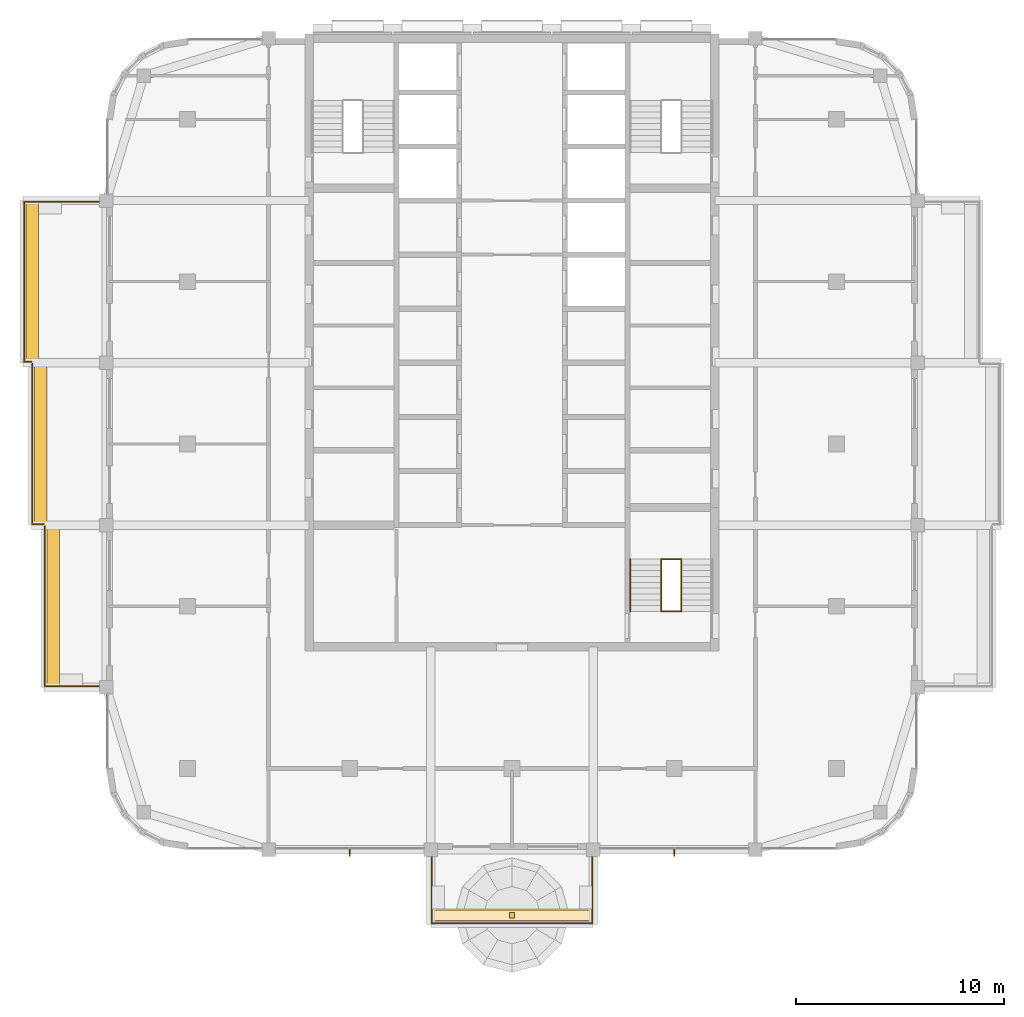
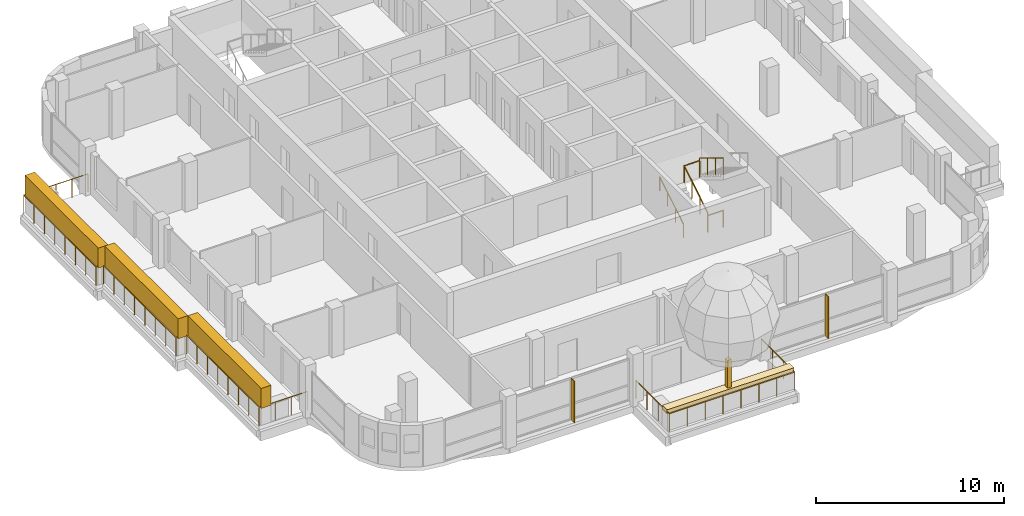
# One storey, part 17 of 19: 9 railings, 5 coverings, 2 shading devices, 1 element without a shape of its own.
"""IFC4 building model written with IfcOpenShell, lengths in metres."""

from ifc_helpers import new_model, si_unit, direction, frame, origin, origin_2d, place, context, subcontext, project, spatial, rectangle, circle, extrude, material, layer, layer_set, type_object, element, aggregate, save


model = new_model("IFC4")

# Units and contexts
model_context = context("Model", 3, precision=1e-05, world=origin(), true_north=direction((0.0, 1.0)))
body_context = subcontext(model_context, "Body", "Model", "MODEL_VIEW")
ifc_project = project(units=[si_unit("LENGTHUNIT", "METRE"), si_unit("AREAUNIT", "SQUARE_METRE"), si_unit("VOLUMEUNIT", "CUBIC_METRE"), si_unit("PLANEANGLEUNIT", "RADIAN"), si_unit("MASSUNIT", "GRAM", prefix="KILO")], contexts=[model_context])

# Site, building, storey
site_placement = place(None, origin())
site = spatial("IfcSite", under=ifc_project, at=site_placement, CompositionType="ELEMENT")
building_placement = place(site_placement, origin())
building = spatial("IfcBuilding", under=site, at=building_placement, Name="Ludao Terraces", CompositionType="ELEMENT")
storey_placement = place(building_placement, frame((0.0, 0.0, 256.199951171875)))
storey = spatial("IfcBuildingStorey", under=building, at=storey_placement, Name="L70", CompositionType="ELEMENT", Elevation=256.199951171875)

# Railings
ifc_material_1 = material(Name="Stainless steel 304", Category="steel")
railing_type_1 = type_object("IfcRailingType", Name="ENV Balcony glass guard 1200", PredefinedType="GUARDRAIL", material=ifc_material_1)
railing_1_placement = place(storey_placement, frame((81.14990234375, 45.5, 0.0)))
element("IfcRailing", 1, at=railing_1_placement, inside=storey, type_object=railing_type_1, Name="Balcony guard L70 S1", PredefinedType="GUARDRAIL", context=body_context, shape_type="SweptSolid", body=[
    extrude(circle(Radius=0.02392578125, at=origin_2d()), frame((0.0, 0.0, 1.17578125), z_axis=(0.0, -1.0, 0.0), x_axis=(1.0, 0.0, 0.0)), (0.0, 0.0, 1.0), 3.550048828125),
    extrude(circle(Radius=0.02392578125, at=origin_2d()), frame((0.0, -3.550048828125, 1.17578125), z_axis=(1.0, 0.0, 0.0), x_axis=(0.0, 1.0, 0.0)), (0.0, 0.0, 1.0), 7.7001953125),
    extrude(circle(Radius=0.02392578125, at=origin_2d()), frame((7.7001953125, -3.550048828125, 1.17578125), z_axis=(0.0, 1.0, 0.0), x_axis=(-1.0, 0.0, 0.0)), (0.0, 0.0, 1.0), 3.550048828125),
    extrude(circle(Radius=0.02099609375, at=origin_2d()), origin(), (0.0, 0.0, 1.0), 1.15185546875),
    extrude(circle(Radius=0.02099609375, at=origin_2d()), frame((0.0, -1.183349609375, 0.0)), (0.0, 0.0, 1.0), 1.15185546875),
    extrude(circle(Radius=0.02099609375, at=origin_2d()), frame((0.0, -2.36669921875, 0.0)), (0.0, 0.0, 1.0), 1.15185546875),
    extrude(circle(Radius=0.02099609375, at=origin_2d()), frame((0.0, -3.550048828125, 0.0)), (0.0, 0.0, 1.0), 1.15185546875),
    extrude(circle(Radius=0.02099609375, at=origin_2d()), frame((1.10009765625, -3.550048828125, 0.0)), (0.0, 0.0, 1.0), 1.15185546875),
    extrude(circle(Radius=0.02099609375, at=origin_2d()), frame((2.199951171875, -3.550048828125, 0.0)), (0.0, 0.0, 1.0), 1.15185546875),
    extrude(circle(Radius=0.02099609375, at=origin_2d()), frame((3.300048828125, -3.550048828125, 0.0)), (0.0, 0.0, 1.0), 1.15185546875),
    extrude(circle(Radius=0.02099609375, at=origin_2d()), frame((4.400146484375, -3.550048828125, 0.0)), (0.0, 0.0, 1.0), 1.15185546875),
    extrude(circle(Radius=0.02099609375, at=origin_2d()), frame((5.500244140625, -3.550048828125, 0.0)), (0.0, 0.0, 1.0), 1.15185546875),
    extrude(circle(Radius=0.02099609375, at=origin_2d()), frame((6.60009765625, -3.550048828125, 0.0)), (0.0, 0.0, 1.0), 1.15185546875),
    extrude(circle(Radius=0.02099609375, at=origin_2d()), frame((7.7001953125, -3.550048828125, 0.0)), (0.0, 0.0, 1.0), 1.15185546875),
    extrude(circle(Radius=0.02099609375, at=origin_2d()), frame((7.7001953125, -2.36669921875, 0.0)), (0.0, 0.0, 1.0), 1.15185546875),
    extrude(circle(Radius=0.02099609375, at=origin_2d()), frame((7.7001953125, -1.183349609375, 0.0)), (0.0, 0.0, 1.0), 1.15185546875),
    extrude(circle(Radius=0.02099609375, at=origin_2d()), frame((7.7001953125, 0.0, 0.0)), (0.0, 0.0, 1.0), 1.15185546875),
])
railing_2_placement = place(storey_placement, frame((65.5, 53.35009765625, 0.0)))
element("IfcRailing", 2, at=railing_2_placement, inside=storey, type_object=railing_type_1, Name="Balcony guard L70 W1", PredefinedType="GUARDRAIL", context=body_context, shape_type="SweptSolid", body=[
    extrude(circle(Radius=0.02392578125, at=origin_2d()), frame((0.0, 0.0, 1.17578125), z_axis=(-1.0, 0.0, 0.0), x_axis=(0.0, -1.0, 0.0)), (0.0, 0.0, 1.0), 2.949951171875),
    extrude(circle(Radius=0.02392578125, at=origin_2d()), frame((-2.949951171875, 0.0, 1.17578125), z_axis=(0.0, 1.0, 0.0), x_axis=(-1.0, 0.0, 0.0)), (0.0, 0.0, 1.0), 7.699951171875),
    extrude(circle(Radius=0.02099609375, at=origin_2d()), origin(), (0.0, 0.0, 1.0), 1.15185546875),
    extrude(circle(Radius=0.02099609375, at=origin_2d()), frame((-0.9833984375, 0.0, 0.0)), (0.0, 0.0, 1.0), 1.15185546875),
    extrude(circle(Radius=0.02099609375, at=origin_2d()), frame((-1.966552734375, 0.0, 0.0)), (0.0, 0.0, 1.0), 1.15185546875),
    extrude(circle(Radius=0.02099609375, at=origin_2d()), frame((-2.949951171875, 0.0, 0.0)), (0.0, 0.0, 1.0), 1.15185546875),
    extrude(circle(Radius=0.02099609375, at=origin_2d()), frame((-2.949951171875, 1.10009765625, 0.0)), (0.0, 0.0, 1.0), 1.15185546875),
    extrude(circle(Radius=0.02099609375, at=origin_2d()), frame((-2.949951171875, 2.199951171875, 0.0)), (0.0, 0.0, 1.0), 1.15185546875),
    extrude(circle(Radius=0.02099609375, at=origin_2d()), frame((-2.949951171875, 3.300048828125, 0.0)), (0.0, 0.0, 1.0), 1.15185546875),
    extrude(circle(Radius=0.02099609375, at=origin_2d()), frame((-2.949951171875, 4.39990234375, 0.0)), (0.0, 0.0, 1.0), 1.15185546875),
    extrude(circle(Radius=0.02099609375, at=origin_2d()), frame((-2.949951171875, 5.5, 0.0)), (0.0, 0.0, 1.0), 1.15185546875),
    extrude(circle(Radius=0.02099609375, at=origin_2d()), frame((-2.949951171875, 6.599853515625, 0.0)), (0.0, 0.0, 1.0), 1.15185546875),
    extrude(circle(Radius=0.02099609375, at=origin_2d()), frame((-2.949951171875, 7.699951171875, 0.0)), (0.0, 0.0, 1.0), 1.15185546875),
])
railing_3_placement = place(storey_placement, frame((62.5, 61.14990234375, 0.0)))
element("IfcRailing", 3, at=railing_3_placement, inside=storey, type_object=railing_type_1, Name="Balcony guard L70 W2", PredefinedType="GUARDRAIL", context=body_context, shape_type="SweptSolid", body=[
    extrude(circle(Radius=0.02392578125, at=origin_2d()), frame((0.0, 0.0, 1.17578125), z_axis=(-1.0, 0.0, 0.0), x_axis=(0.0, -1.0, 0.0)), (0.0, 0.0, 1.0), 0.550048828125),
    extrude(circle(Radius=0.02392578125, at=origin_2d()), frame((-0.550048828125, 0.0, 1.17578125), z_axis=(0.0, 1.0, 0.0), x_axis=(-1.0, 0.0, 0.0)), (0.0, 0.0, 1.0), 7.7001953125),
    extrude(circle(Radius=0.02099609375, at=origin_2d()), origin(), (0.0, 0.0, 1.0), 1.15185546875),
    extrude(circle(Radius=0.02099609375, at=origin_2d()), frame((-0.550048828125, 0.0, 0.0)), (0.0, 0.0, 1.0), 1.15185546875),
    extrude(circle(Radius=0.02099609375, at=origin_2d()), frame((-0.550048828125, 1.10009765625, 0.0)), (0.0, 0.0, 1.0), 1.15185546875),
    extrude(circle(Radius=0.02099609375, at=origin_2d()), frame((-0.550048828125, 2.199951171875, 0.0)), (0.0, 0.0, 1.0), 1.15185546875),
    extrude(circle(Radius=0.02099609375, at=origin_2d()), frame((-0.550048828125, 3.300048828125, 0.0)), (0.0, 0.0, 1.0), 1.15185546875),
    extrude(circle(Radius=0.02099609375, at=origin_2d()), frame((-0.550048828125, 4.400146484375, 0.0)), (0.0, 0.0, 1.0), 1.15185546875),
    extrude(circle(Radius=0.02099609375, at=origin_2d()), frame((-0.550048828125, 5.500244140625, 0.0)), (0.0, 0.0, 1.0), 1.15185546875),
    extrude(circle(Radius=0.02099609375, at=origin_2d()), frame((-0.550048828125, 6.60009765625, 0.0)), (0.0, 0.0, 1.0), 1.15185546875),
    extrude(circle(Radius=0.02099609375, at=origin_2d()), frame((-0.550048828125, 7.7001953125, 0.0)), (0.0, 0.0, 1.0), 1.15185546875),
])
railing_4_placement = place(storey_placement, frame((61.89990234375, 68.949951171875, 0.0)))
element("IfcRailing", 4, at=railing_4_placement, inside=storey, type_object=railing_type_1, Name="Balcony guard L70 W3", PredefinedType="GUARDRAIL", context=body_context, shape_type="SweptSolid", body=[
    extrude(circle(Radius=0.02392578125, at=origin_2d()), frame((0.0, 0.0, 1.17578125), z_axis=(-1.0, 0.0, 0.0), x_axis=(0.0, -1.0, 0.0)), (0.0, 0.0, 1.0), 0.349853515625),
    extrude(circle(Radius=0.02392578125, at=origin_2d()), frame((-0.349853515625, 0.0, 1.17578125), z_axis=(0.0, 1.0, 0.0), x_axis=(-1.0, 0.0, 0.0)), (0.0, 0.0, 1.0), 7.699951171875),
    extrude(circle(Radius=0.02392578125, at=origin_2d()), frame((-0.349853515625, 7.699951171875, 1.17578125), z_axis=(1.0, 0.0, 0.0), x_axis=(0.0, 1.0, 0.0)), (0.0, 0.0, 1.0), 3.949951171875),
    extrude(circle(Radius=0.02099609375, at=origin_2d()), origin(), (0.0, 0.0, 1.0), 1.15185546875),
    extrude(circle(Radius=0.02099609375, at=origin_2d()), frame((-0.349853515625, 0.0, 0.0)), (0.0, 0.0, 1.0), 1.15185546875),
    extrude(circle(Radius=0.02099609375, at=origin_2d()), frame((-0.349853515625, 1.10009765625, 0.0)), (0.0, 0.0, 1.0), 1.15185546875),
    extrude(circle(Radius=0.02099609375, at=origin_2d()), frame((-0.349853515625, 2.199951171875, 0.0)), (0.0, 0.0, 1.0), 1.15185546875),
    extrude(circle(Radius=0.02099609375, at=origin_2d()), frame((-0.349853515625, 3.300048828125, 0.0)), (0.0, 0.0, 1.0), 1.15185546875),
    extrude(circle(Radius=0.02099609375, at=origin_2d()), frame((-0.349853515625, 4.39990234375, 0.0)), (0.0, 0.0, 1.0), 1.15185546875),
    extrude(circle(Radius=0.02099609375, at=origin_2d()), frame((-0.349853515625, 5.5, 0.0)), (0.0, 0.0, 1.0), 1.15185546875),
    extrude(circle(Radius=0.02099609375, at=origin_2d()), frame((-0.349853515625, 6.599853515625, 0.0)), (0.0, 0.0, 1.0), 1.15185546875),
    extrude(circle(Radius=0.02099609375, at=origin_2d()), frame((-0.349853515625, 7.699951171875, 0.0)), (0.0, 0.0, 1.0), 1.15185546875),
    extrude(circle(Radius=0.02099609375, at=origin_2d()), frame((0.6376953125, 7.699951171875, 0.0)), (0.0, 0.0, 1.0), 1.15185546875),
    extrude(circle(Radius=0.02099609375, at=origin_2d()), frame((1.625, 7.699951171875, 0.0)), (0.0, 0.0, 1.0), 1.15185546875),
    extrude(circle(Radius=0.02099609375, at=origin_2d()), frame((2.612548828125, 7.699951171875, 0.0)), (0.0, 0.0, 1.0), 1.15185546875),
    extrude(circle(Radius=0.02099609375, at=origin_2d()), frame((3.60009765625, 7.699951171875, 0.0)), (0.0, 0.0, 1.0), 1.15185546875),
])

# Coverings
ifc_material_2 = material(Name="Planting")
ifc_layer_1 = layer(ifc_material_2, 0.5)
ifc_layer_set_1 = layer_set([ifc_layer_1], Name="ENV Planting bed 250")
covering_type_1 = type_object("IfcCoveringType", Name="ENV Planting bed 250", PredefinedType="USERDEFINED", material=ifc_layer_set_1)
covering_1_placement = place(storey_placement, frame((85.0, 42.35009765625, 1.10009765625), z_axis=(0.0, 0.0, 1.0), x_axis=(1.0, 0.0, 0.0)))
element("IfcCovering", 5, at=covering_1_placement, inside=storey, type_object=covering_type_1, Name="Planting bed L70-S1", ObjectType="PLANTING", PredefinedType="USERDEFINED", context=body_context, shape_type="SweptSolid", body=[
    extrude(rectangle(XDim=7.800048828125, YDim=0.5, at=origin_2d()), origin(), (0.0, 0.0, 1.0), 0.25),
])
ifc_layer_2 = layer(ifc_material_2, 0.60009765625)
ifc_layer_set_2 = layer_set([ifc_layer_2], Name="ENV Planting hedge 600x1300")
covering_type_2 = type_object("IfcCoveringType", Name="ENV Planting hedge 600x1300", PredefinedType="USERDEFINED", material=ifc_layer_set_2)
for number, where, z_axis, x_axis, name in (
    (6, (62.949951171875, 57.199951171875, 1.10009765625), (0.0, 0.0, 1.0), (1.0, 0.0, 0.0), "Planting hedge L70-W1"),
    (7, (62.35009765625, 65.0, 1.10009765625), (0.0, 0.0, 1.0), (1.0, 0.0, 0.0), "Planting hedge L70-W2"),
    (8, (61.949951171875, 72.800048828125, 1.10009765625), (0.0, 0.0, 1.0), (1.0, 0.0, 0.0), "Planting hedge L70-W3"),
):
    element("IfcCovering", number, at=place(storey_placement, frame(where, z_axis=z_axis, x_axis=x_axis)), inside=storey, type_object=covering_type_2, Name=name, ObjectType="PLANTING", PredefinedType="USERDEFINED", context=body_context, shape_type="SweptSolid", body=[
        extrude(rectangle(XDim=0.60009765625, YDim=7.800048828125, at=origin_2d()), origin(), (0.0, 0.0, 1.0), 1.300048828125),
    ])

# Shading devices
ifc_material_3 = material(Name="Aluminium 6063-T6", Category="aluminium")
ifc_layer_3 = layer(ifc_material_3, 0.050048828125)
ifc_layer_set_3 = layer_set([ifc_layer_3], Name="ENV Sun fin 50x350")
shading_device_type = type_object("IfcShadingDeviceType", Name="ENV Sun fin 50x350", PredefinedType="USERDEFINED", material=ifc_layer_set_3)
for number, where, z_axis, x_axis, name in (
    (9, (77.199951171875, 45.360107421875, 0.0), (0.0, 0.0, 1.0), (1.0, 0.0, 0.0), "FN-CW-L70-S2-1"),
    (10, (92.800048828125, 45.360107421875, 0.0), (0.0, 0.0, 1.0), (1.0, 0.0, 0.0), "FN-CW-L70-S4-1"),
):
    element("IfcShadingDevice", number, at=place(storey_placement, frame(where, z_axis=z_axis, x_axis=x_axis)), inside=storey, type_object=shading_device_type, Name=name, ObjectType="FIN", PredefinedType="USERDEFINED", context=body_context, shape_type="SweptSolid", body=[
        extrude(rectangle(XDim=0.050048828125, YDim=0.35009765625, at=origin_2d()), origin(), (0.0, 0.0, 1.0), 2.699951171875),
    ])

# Covering
ifc_material_4 = material(Name="Timber tree trunk", Category="wood")
ifc_layer_4 = layer(ifc_material_4, 0.25)
ifc_layer_set_4 = layer_set([ifc_layer_4], Name="ENV Tree trunk 250x1800")
covering_type_3 = type_object("IfcCoveringType", Name="ENV Tree trunk 250x1800", PredefinedType="USERDEFINED", material=ifc_layer_set_4)
covering_2_placement = place(storey_placement, frame((85.0, 42.35009765625, 1.35009765625), z_axis=(0.0, 0.0, 1.0), x_axis=(1.0, 0.0, 0.0)))
element("IfcCovering", 11, at=covering_2_placement, inside=storey, type_object=covering_type_3, Name="Tree trunk L70 S1", ObjectType="PLANTING", PredefinedType="USERDEFINED", context=body_context, shape_type="SweptSolid", body=[
    extrude(rectangle(XDim=0.25, YDim=0.25, at=origin_2d()), origin(), (0.0, 0.0, 1.0), 1.800048828125),
])

# Stair, railings
ifc_material_5 = material(Name="Concrete C40", Category="concrete")
stair_type = type_object("IfcStairType", Name="INT Stair", PredefinedType="HALF_TURN_STAIR", material=ifc_material_5)
stair_placement = place(storey_placement, origin())
stair = element("IfcStair", 12, at=stair_placement, inside=storey, type_object=stair_type, Name="EXIT STAIR 3", PredefinedType="HALF_TURN_STAIR")
railing_type_2 = type_object("IfcRailingType", Name="INT Stair guard 1100", PredefinedType="GUARDRAIL", material=ifc_material_1)
railing_5_placement = place(storey_placement, frame((92.175048828125, 56.949951171875, 0.170166015625)))
railing_5 = element("IfcRailing", 13, at=railing_5_placement, type_object=railing_type_2, Name="ST-L70-S3-R1G", PredefinedType="GUARDRAIL", context=body_context, shape_type="SweptSolid", body=[
    extrude(circle(Radius=0.02392578125, at=origin_2d()), frame((0.0, 0.0, 1.076171875), z_axis=(0.0, 0.854821627497, 0.518921945155), x_axis=(-1.0, 0.0, 0.0)), (0.0, 0.0, 1.0), 2.947998046875),
    extrude(circle(Radius=0.02099609375, at=origin_2d()), origin(), (0.0, 0.0, 1.0), 1.052001953125),
    extrude(circle(Radius=0.02099609375, at=origin_2d()), frame((0.0, 0.840087890625, 0.510009765625)), (0.0, 0.0, 1.0), 1.052001953125),
    extrude(circle(Radius=0.02099609375, at=origin_2d()), frame((0.0, 1.679931640625, 1.019775390625)), (0.0, 0.0, 1.0), 1.052001953125),
    extrude(circle(Radius=0.02099609375, at=origin_2d()), frame((0.0, 2.52001953125, 1.52978515625)), (0.0, 0.0, 1.0), 1.052001953125),
])
railing_6_placement = place(storey_placement, frame((93.125, 59.469970703125, 1.8701171875)))
railing_6 = element("IfcRailing", 14, at=railing_6_placement, type_object=railing_type_2, Name="ST-L70-S3-R2G", PredefinedType="GUARDRAIL", context=body_context, shape_type="SweptSolid", body=[
    extrude(circle(Radius=0.02392578125, at=origin_2d()), frame((0.0, 0.0, 1.076171875), z_axis=(0.0, -0.85478489116, 0.518982456201), x_axis=(1.0, 0.0, 0.0)), (0.0, 0.0, 1.0), 2.9482421875),
    extrude(circle(Radius=0.02099609375, at=origin_2d()), origin(), (0.0, 0.0, 1.0), 1.052001953125),
    extrude(circle(Radius=0.02099609375, at=origin_2d()), frame((0.0, -0.840087890625, 0.510009765625)), (0.0, 0.0, 1.0), 1.052001953125),
    extrude(circle(Radius=0.02099609375, at=origin_2d()), frame((0.0, -1.679931640625, 1.02001953125)), (0.0, 0.0, 1.0), 1.052001953125),
    extrude(circle(Radius=0.02099609375, at=origin_2d()), frame((0.0, -2.52001953125, 1.530029296875)), (0.0, 0.0, 1.0), 1.052001953125),
])
railing_7_placement = place(storey_placement, frame((92.175048828125, 59.469970703125, 1.699951171875)))
railing_7 = element("IfcRailing", 15, at=railing_7_placement, type_object=railing_type_2, Name="ST-L70-S3-E1G", PredefinedType="GUARDRAIL", context=body_context, shape_type="SweptSolid", body=[
    extrude(circle(Radius=0.02392578125, at=origin_2d()), frame((0.0, 0.0, 1.076171875), z_axis=(1.0, 0.0, 0.0), x_axis=(0.0, 1.0, 0.0)), (0.0, 0.0, 1.0), 0.949951171875),
    extrude(circle(Radius=0.02099609375, at=origin_2d()), origin(), (0.0, 0.0, 1.0), 1.052001953125),
    extrude(circle(Radius=0.02099609375, at=origin_2d()), frame((0.949951171875, 0.0, 0.0)), (0.0, 0.0, 1.0), 1.052001953125),
])
railing_8_placement = place(storey_placement, frame((92.175048828125, 56.949951171875, 0.0)))
railing_8 = element("IfcRailing", 16, at=railing_8_placement, type_object=railing_type_2, Name="ST-L70-S3-E2G", PredefinedType="GUARDRAIL", context=body_context, shape_type="SweptSolid", body=[
    extrude(circle(Radius=0.02392578125, at=origin_2d()), frame((0.0, 0.0, 1.076171875), z_axis=(1.0, 0.0, 0.0), x_axis=(0.0, 1.0, 0.0)), (0.0, 0.0, 1.0), 0.949951171875),
    extrude(circle(Radius=0.02099609375, at=origin_2d()), origin(), (0.0, 0.0, 1.0), 1.052001953125),
    extrude(circle(Radius=0.02099609375, at=origin_2d()), frame((0.949951171875, 0.0, 0.0)), (0.0, 0.0, 1.0), 1.052001953125),
])
railing_type_3 = type_object("IfcRailingType", Name="INT Stair handrail 900", PredefinedType="HANDRAIL", material=ifc_material_1)
railing_9_placement = place(storey_placement, frame((90.675048828125, 56.949951171875, 0.170166015625)))
railing_9 = element("IfcRailing", 17, at=railing_9_placement, type_object=railing_type_3, Name="ST-L70-S3-R1H", PredefinedType="HANDRAIL", context=body_context, shape_type="SweptSolid", body=[
    extrude(circle(Radius=0.02392578125, at=origin_2d()), frame((0.0, 0.0, 0.8759765625), z_axis=(0.0, 0.854821627497, 0.518921945155), x_axis=(-1.0, 0.0, 0.0)), (0.0, 0.0, 1.0), 2.947998046875),
    extrude(circle(Radius=0.02099609375, at=origin_2d()), origin(), (0.0, 0.0, 1.0), 0.851806640625),
    extrude(circle(Radius=0.02099609375, at=origin_2d()), frame((0.0, 0.840087890625, 0.510009765625)), (0.0, 0.0, 1.0), 0.851806640625),
    extrude(circle(Radius=0.02099609375, at=origin_2d()), frame((0.0, 1.679931640625, 1.019775390625)), (0.0, 0.0, 1.0), 0.851806640625),
    extrude(circle(Radius=0.02099609375, at=origin_2d()), frame((0.0, 2.52001953125, 1.52978515625)), (0.0, 0.0, 1.0), 0.851806640625),
])
aggregate(stair, [railing_5, railing_9, railing_6, railing_7, railing_8])

save(model, "model.ifc")
